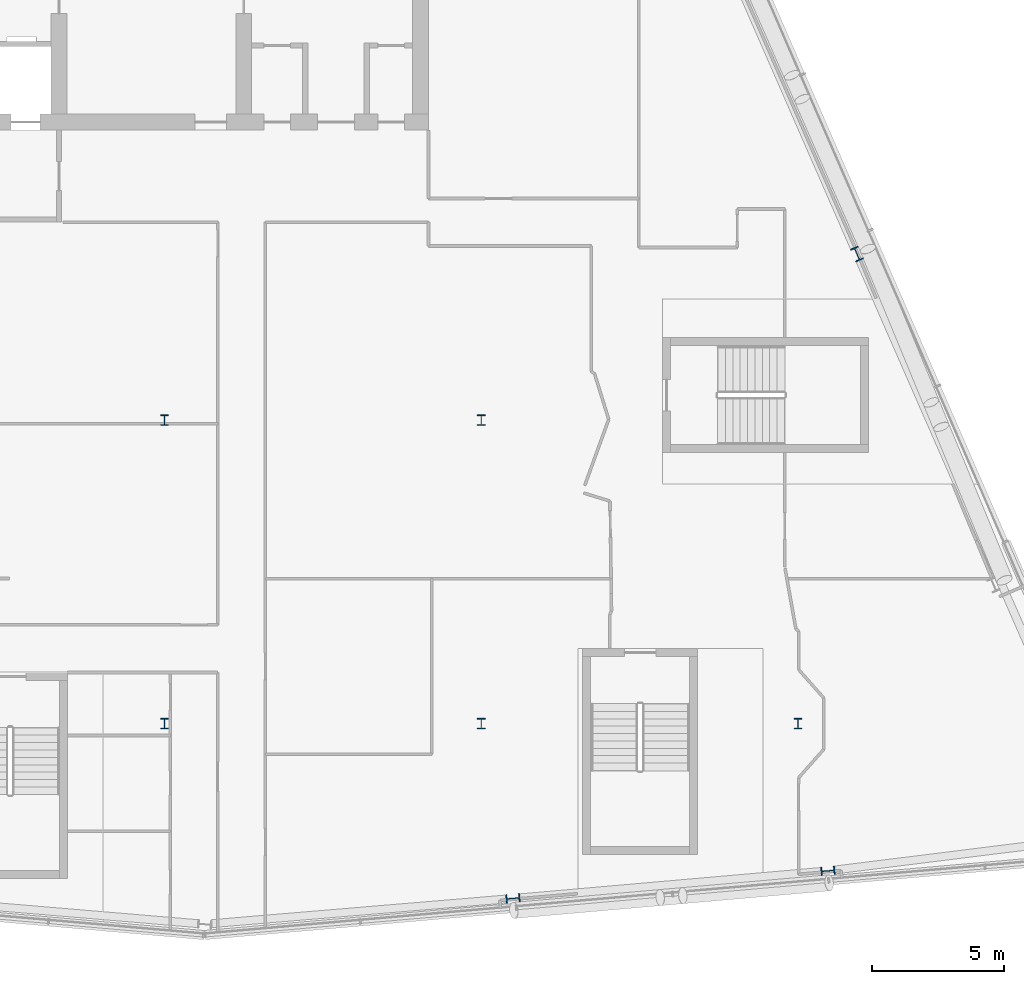
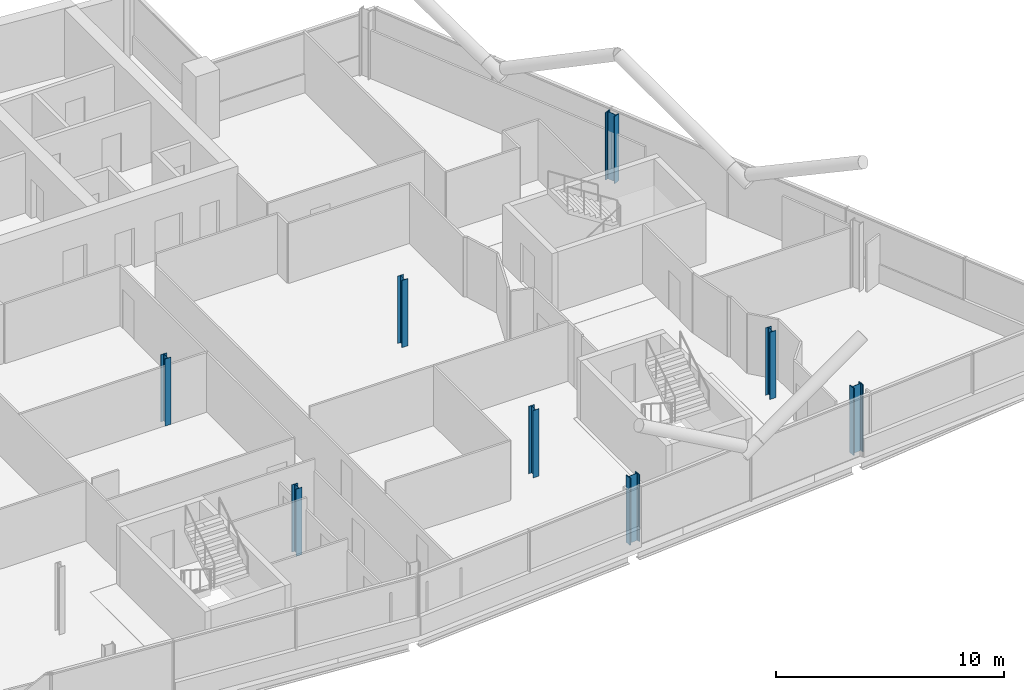
# One storey, part 2 of 28: 8 columns.
"""IFC4 building model written with IfcOpenShell, lengths in metres."""

from ifc_helpers import new_model, si_unit, direction, frame, origin, origin_2d, place, context, subcontext, project, spatial, i_section, extrude, material, material_profile, profile_set, type_object, element, save


model = new_model("IFC4")

# Units and contexts
model_context = context("Model", 3, precision=1e-05, world=origin(), true_north=direction((0.0, 1.0)))
body_context = subcontext(model_context, "Body", "Model", "MODEL_VIEW")
ifc_project = project(units=[si_unit("LENGTHUNIT", "METRE"), si_unit("AREAUNIT", "SQUARE_METRE"), si_unit("VOLUMEUNIT", "CUBIC_METRE"), si_unit("PLANEANGLEUNIT", "RADIAN"), si_unit("MASSUNIT", "GRAM", prefix="KILO")], contexts=[model_context])

# Site, building, storey
site_placement = place(None, origin())
site = spatial("IfcSite", under=ifc_project, at=site_placement, CompositionType="ELEMENT")
building_placement = place(site_placement, origin())
building = spatial("IfcBuilding", under=site, at=building_placement, Name="Wharfspan Tower", CompositionType="ELEMENT")
storey_placement = place(building_placement, frame((0.0, 0.0, 253.899902)))
storey = spatial("IfcBuildingStorey", under=building, at=storey_placement, Name="L64", CompositionType="ELEMENT", Elevation=253.899902)

# Columns
ifc_material = material(Name="Steel S355J2", Category="steel")
ifc_material_profile_1 = material_profile(ifc_material, i_section(OverallWidth=0.300049, OverallDepth=0.399902, WebThickness=0.013428, FlangeThickness=0.023926, FilletRadius=0.0271, at=origin_2d()))
ifc_profile_set_1 = profile_set([ifc_material_profile_1], Name="Steel S355J2")
column_type_1 = type_object("IfcColumnType", Name="Column HEB 400", PredefinedType="COLUMN", material=ifc_profile_set_1)
for number, where, z_axis, x_axis, name in (
    (1, (48.0, 11.5, 0.0), (0.0, 0.0, 1.0), (1.0, 0.0, 0.0), "Interior column I.1.3 L64"),
    (2, (60.0, 11.5, 0.0), (0.0, 0.0, 1.0), (1.0, 0.0, 0.0), "Interior column I.1.4 L64"),
    (3, (72.0, 11.5, 0.0), (0.0, 0.0, 1.0), (1.0, 0.0, 0.0), "Interior column I.1.5 L64"),
    (4, (48.0, 23.0, 0.0), (0.0, 0.0, 1.0), (1.0, 0.0, 0.0), "Interior column I.2.3 L64"),
    (5, (60.0, 23.0, 0.0), (0.0, 0.0, 1.0), (1.0, 0.0, 0.0), "Interior column I.2.4 L64"),
):
    element("IfcColumn", number, at=place(storey_placement, frame(where, z_axis=z_axis, x_axis=x_axis)), inside=storey, type_object=column_type_1, Name=name, PredefinedType="COLUMN", context=body_context, shape_type="SweptSolid", body=[
        extrude(i_section(OverallWidth=0.300049, OverallDepth=0.399902, WebThickness=0.013428, FlangeThickness=0.023926, FilletRadius=0.0271, at=origin_2d()), origin(), (0.0, 0.0, 1.0), 3.600098),
    ])
ifc_material_profile_2 = material_profile(ifc_material, i_section(OverallWidth=0.305908, OverallDepth=0.523926, WebThickness=0.020996, FlangeThickness=0.040039, FilletRadius=0.0271, at=origin_2d()))
ifc_profile_set_2 = profile_set([ifc_material_profile_2], Name="Steel S355J2")
column_type_2 = type_object("IfcColumnType", Name="Column HEM 500", PredefinedType="COLUMN", material=ifc_profile_set_2)
for number, where, z_axis, x_axis, name in (
    (6, (61.202393, 4.879395, 0.0), (0.0, 0.0, 1.0), (0.087156, -0.996197, 0.0), "Perimeter column PS2.1 L64"),
    (7, (73.135254, 5.92334, 0.0), (0.0, 0.0, 1.0), (0.087156, -0.996197, 0.0), "Perimeter column PS2.2 L64"),
    (8, (74.235352, 29.294922, 0.0), (0.0, 0.0, 1.0), (0.917072, 0.398727, 0.0), "Perimeter column PE.2 L64"),
):
    element("IfcColumn", number, at=place(storey_placement, frame(where, z_axis=z_axis, x_axis=x_axis)), inside=storey, type_object=column_type_2, Name=name, PredefinedType="COLUMN", context=body_context, shape_type="SweptSolid", body=[
        extrude(i_section(OverallWidth=0.305908, OverallDepth=0.523926, WebThickness=0.020996, FlangeThickness=0.040039, FilletRadius=0.0271, at=origin_2d()), origin(), (0.0, 0.0, 1.0), 3.600098),
    ])

save(model, "model.ifc")
